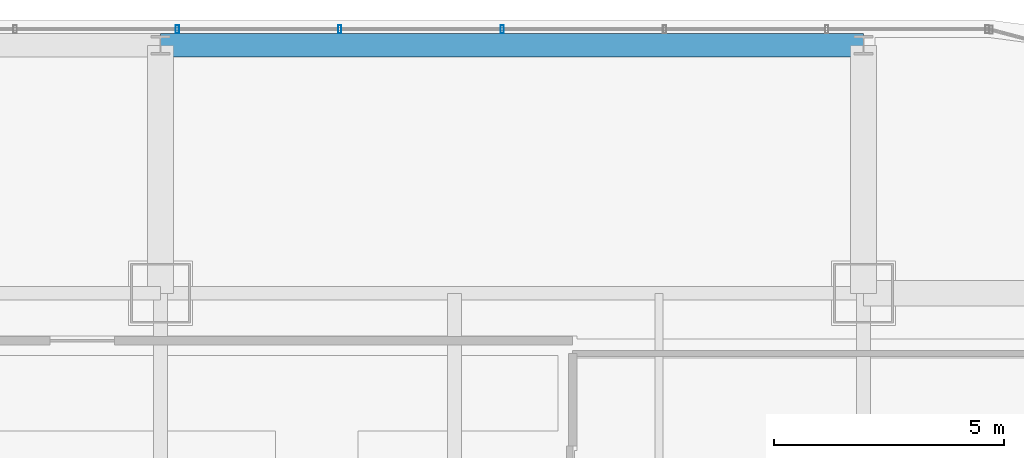
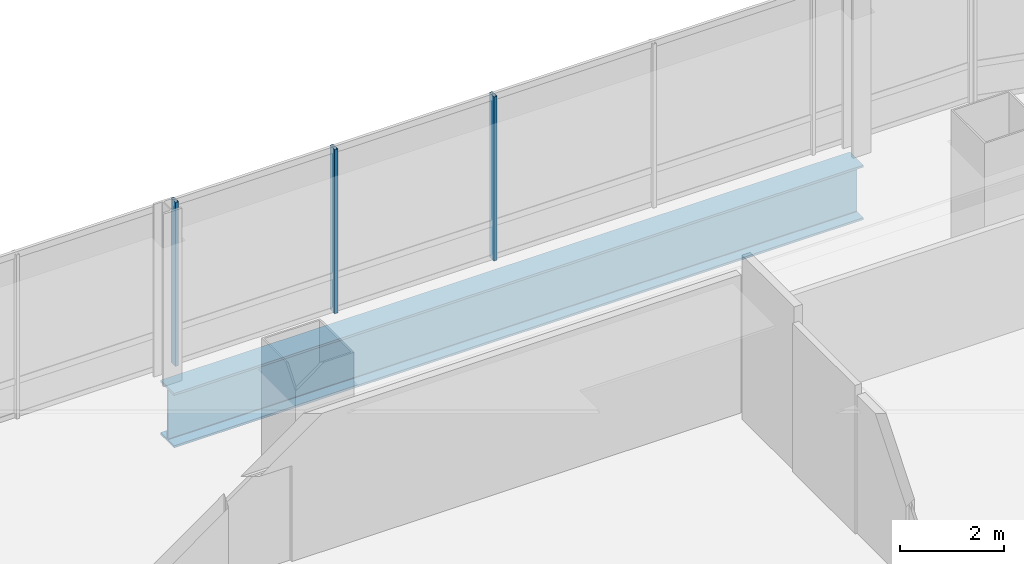
# One storey, part 29 of 42: 3 members, 1 beam, 1 element without a shape of its own.
"""IFC4 building model written with IfcOpenShell, lengths in metres."""

from ifc_helpers import new_model, si_unit, direction, frame, origin, origin_2d, place, context, subcontext, project, spatial, hollow_rectangle, i_section, extrude, material, material_profile, profile_set, type_object, element, aggregate, save


model = new_model("IFC4")

# Units and contexts
model_context = context("Model", 3, precision=1e-05, world=origin(), true_north=direction((0.0, 1.0)))
body_context = subcontext(model_context, "Body", "Model", "MODEL_VIEW")
ifc_project = project(units=[si_unit("LENGTHUNIT", "METRE"), si_unit("AREAUNIT", "SQUARE_METRE"), si_unit("VOLUMEUNIT", "CUBIC_METRE"), si_unit("PLANEANGLEUNIT", "RADIAN"), si_unit("MASSUNIT", "GRAM", prefix="KILO")], contexts=[model_context])

# Site, building, storey
site_placement = place(None, origin())
site = spatial("IfcSite", under=ifc_project, at=site_placement, CompositionType="ELEMENT")
building_placement = place(site_placement, origin())
building = spatial("IfcBuilding", under=site, at=building_placement, Name="Punatoya Terracotta Tower", CompositionType="ELEMENT")
storey_placement = place(building_placement, frame((0.0, 0.0, 259.5)))
storey = spatial("IfcBuildingStorey", under=building, at=storey_placement, Name="L61", CompositionType="ELEMENT", Elevation=259.5)

# Beam
ifc_material_1 = material(Name="Steel S460", Category="steel")
ifc_material_profile_1 = material_profile(ifc_material_1, i_section(OverallWidth=0.52001953125, OverallDepth=1.280029296875, WebThickness=0.031982421875, FlangeThickness=0.050048828125, FilletRadius=0.01806640625, at=origin_2d()))
ifc_profile_set_1 = profile_set([ifc_material_profile_1], Name="Steel S460")
beam_type = type_object("IfcBeamType", Name="BM-TG-NCK", PredefinedType="BEAM", material=ifc_profile_set_1)
beam_placement = place(storey_placement, frame((3.800048828125, 22.89990234375, -0.840087890625), z_axis=(1.0, 0.0, 0.0), x_axis=(0.0, 1.0, 0.0)))
element("IfcBeam", 1, at=beam_placement, inside=storey, type_object=beam_type, Name="BM-L61-PER-N3", PredefinedType="BEAM", context=body_context, shape_type="SweptSolid", body=[
    extrude(i_section(OverallWidth=0.52001953125, OverallDepth=1.280029296875, WebThickness=0.031982421875, FlangeThickness=0.050048828125, FilletRadius=0.01806640625, at=origin_2d()), origin(), (0.0, 0.0, 1.0), 15.300048828125),
])

# Curtain wall, members
ifc_material_2 = material(Name="Aluminium 6063-T6 + Double Low-E Glass", Category="aluminium")
curtain_wall_type = type_object("IfcCurtainWallType", Name="CW-M3", PredefinedType="NOTDEFINED", material=ifc_material_2)
curtain_wall_placement = place(storey_placement, origin())
curtain_wall = element("IfcCurtainWall", 2, at=curtain_wall_placement, inside=storey, type_object=curtain_wall_type, Name="L61 Curtain Wall CW-L61-N09-1", PredefinedType="NOTDEFINED")
ifc_material_3 = material(Name="Aluminium 6063-T6", Category="aluminium")
ifc_material_profile_2 = material_profile(ifc_material_3, hollow_rectangle(XDim=0.070068359375, YDim=0.179931640625, WallThickness=0.00390625, at=origin_2d()))
ifc_profile_set_2 = profile_set([ifc_material_profile_2], Name="Aluminium 6063-T6")
member_type = type_object("IfcMemberType", Name="CW-MUL-M3", PredefinedType="MULLION", material=ifc_profile_set_2)
member_1_placement = place(storey_placement, frame((11.235107421875, 23.25, 0.0), z_axis=(0.0, 0.0, 1.0), x_axis=(1.0, 0.0, 0.0)))
member_1 = element("IfcMember", 3, at=member_1_placement, type_object=member_type, Name="CW-L61-N09-1 Mullion 03", PredefinedType="MULLION", context=body_context, shape_type="SweptSolid", body=[
    extrude(hollow_rectangle(XDim=0.070068359375, YDim=0.179931640625, WallThickness=0.00390625, at=origin_2d()), origin(), (0.0, 0.0, 1.0), 3.85009765625),
])
member_2_placement = place(storey_placement, frame((7.700927734375, 23.25, 0.0), z_axis=(0.0, 0.0, 1.0), x_axis=(1.0, 0.0, 0.0)))
member_2 = element("IfcMember", 4, at=member_2_placement, type_object=member_type, Name="CW-L61-N09-1 Mullion 04", PredefinedType="MULLION", context=body_context, shape_type="SweptSolid", body=[
    extrude(hollow_rectangle(XDim=0.070068359375, YDim=0.179931640625, WallThickness=0.00390625, at=origin_2d()), origin(), (0.0, 0.0, 1.0), 3.85009765625),
])
member_3_placement = place(storey_placement, frame((4.1669921875, 23.25, 0.0), z_axis=(0.0, 0.0, 1.0), x_axis=(1.0, 0.0, 0.0)))
member_3 = element("IfcMember", 5, at=member_3_placement, type_object=member_type, Name="CW-L61-N09-1 Mullion 05", PredefinedType="MULLION", context=body_context, shape_type="SweptSolid", body=[
    extrude(hollow_rectangle(XDim=0.070068359375, YDim=0.179931640625, WallThickness=0.00390625, at=origin_2d()), origin(), (0.0, 0.0, 1.0), 3.85009765625),
])
aggregate(curtain_wall, [member_1, member_2, member_3])

save(model, "model.ifc")
